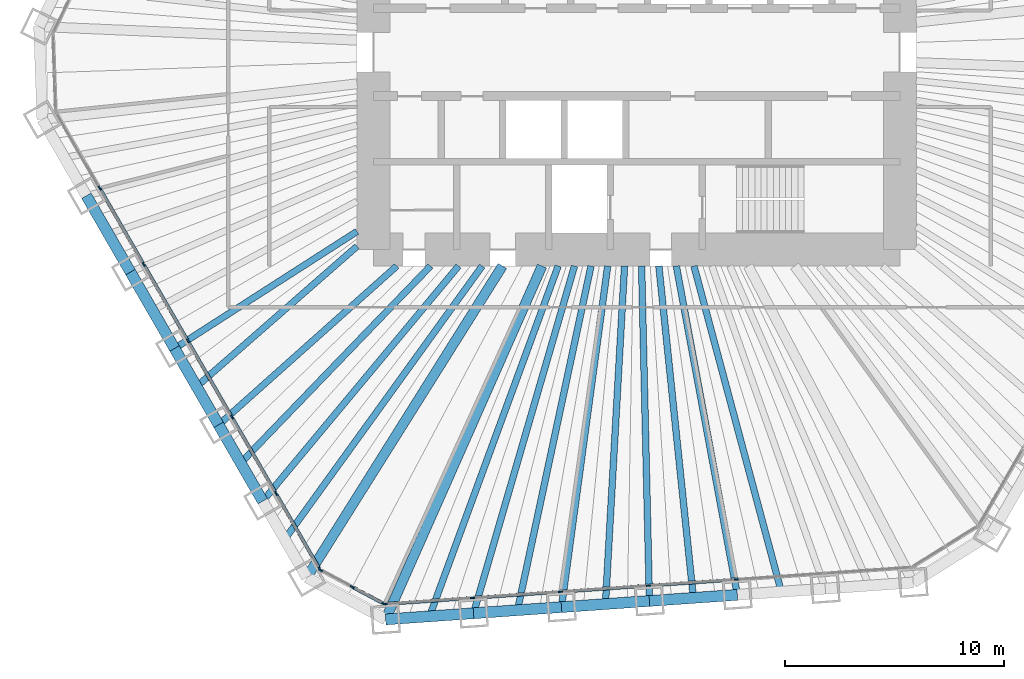
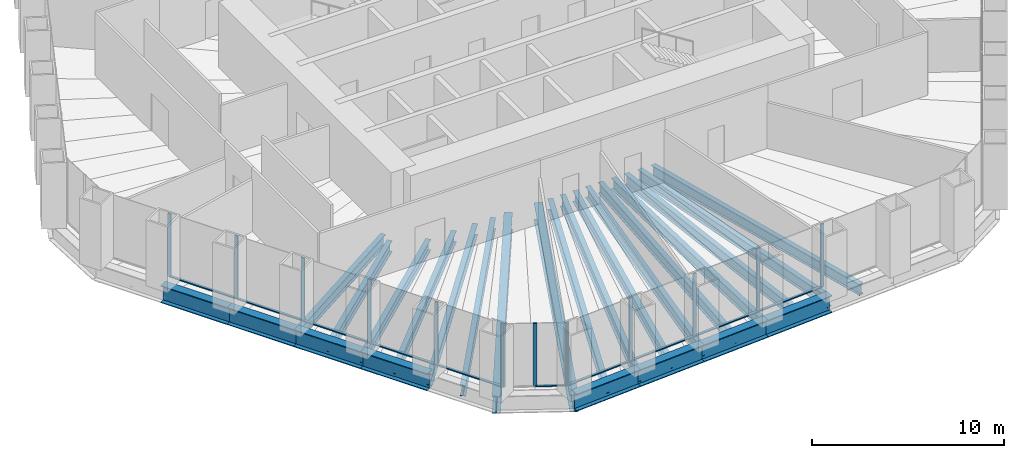
# One storey, part 2 of 13: 25 beams, 24 members, 3 elements without a shape of their own.
"""IFC4 building model written with IfcOpenShell, lengths in metres."""

from ifc_helpers import new_model, si_unit, direction, frame, origin, origin_2d, place, context, subcontext, project, spatial, rectangle, i_section, extrude, material, material_profile, profile_set, type_object, element, aggregate, save


model = new_model("IFC4")

# Units and contexts
model_context = context("Model", 3, precision=1e-05, world=origin(), true_north=direction((0.0, 1.0)))
body_context = subcontext(model_context, "Body", "Model", "MODEL_VIEW")
ifc_project = project(units=[si_unit("LENGTHUNIT", "METRE"), si_unit("AREAUNIT", "SQUARE_METRE"), si_unit("VOLUMEUNIT", "CUBIC_METRE"), si_unit("PLANEANGLEUNIT", "RADIAN"), si_unit("MASSUNIT", "GRAM", prefix="KILO")], contexts=[model_context])

# Site, building, storey
site_placement = place(None, origin())
site = spatial("IfcSite", under=ifc_project, at=site_placement, CompositionType="ELEMENT")
building_placement = place(site_placement, origin())
building = spatial("IfcBuilding", under=site, at=building_placement, Name="Qingtian Harvest Tower", CompositionType="ELEMENT")
storey_placement = place(building_placement, frame((0.0, 0.0, 115.60009765625)))
storey = spatial("IfcBuildingStorey", under=building, at=storey_placement, Name="L23", CompositionType="ELEMENT", Elevation=115.60009765625)

# Beams
ifc_material_1 = material(Name="Steel SM570MC", Category="steel")
ifc_material_profile_1 = material_profile(ifc_material_1, i_section(OverallWidth=0.449951171875, OverallDepth=1.10009765625, WebThickness=0.02197265625, FlangeThickness=0.044921875, at=origin_2d()), Name="H1100x450x22x45")
ifc_profile_set_1 = profile_set([ifc_material_profile_1], Name="Steel SM570MC")
beam_type_1 = type_object("IfcBeamType", Name="Corner floor beam FB8 H1100x450x22x45", PredefinedType="BEAM", material=ifc_profile_set_1)
beam_1_placement = place(storey_placement, frame((-11.445556640625, -25.861328125, -0.72021484375), z_axis=(0.404705702755, 0.914446988161, 0.0), x_axis=(-0.914446988161, 0.404705702755, 0.0)))
element("IfcBeam", 1, at=beam_1_placement, inside=storey, type_object=beam_type_1, Name="Floor beam FB8 S6", PredefinedType="BEAM", context=body_context, shape_type="SweptSolid", body=[
    extrude(i_section(OverallWidth=0.449951171875, OverallDepth=1.10009765625, WebThickness=0.02197265625, FlangeThickness=0.044921875, at=origin_2d()), origin(), (0.0, 0.0, 1.0), 17.61865234375),
])
beam_2_placement = place(storey_placement, frame((-15.039794921875, -23.950439453125, -0.72021484375), z_axis=(0.531797274443, 0.846871689747, 0.0), x_axis=(-0.846871689747, 0.531797274443, 0.0)))
element("IfcBeam", 2, at=beam_2_placement, inside=storey, type_object=beam_type_1, Name="Floor beam FB8 SW0", PredefinedType="BEAM", context=body_context, shape_type="SweptSolid", body=[
    extrude(i_section(OverallWidth=0.449951171875, OverallDepth=1.10009765625, WebThickness=0.02197265625, FlangeThickness=0.044921875, at=origin_2d()), origin(), (0.0, 0.0, 1.0), 16.76806640625),
])
ifc_material_2 = material(Name="Steel SN490B", Category="steel")
ifc_material_profile_2 = material_profile(ifc_material_2, i_section(OverallWidth=0.300048828125, OverallDepth=0.75, WebThickness=0.013916015625, FlangeThickness=0.02490234375, at=origin_2d()), Name="H750x300x14x25")
ifc_profile_set_2 = profile_set([ifc_material_profile_2], Name="Steel SN490B")
beam_type_2 = type_object("IfcBeamType", Name="Floor beam FB12 H750x300x14x25", PredefinedType="BEAM", material=ifc_profile_set_2)
beam_3_placement = place(storey_placement, frame((-7.436279296875, -25.5810546875, -0.545166015625), z_axis=(0.279142362954, 0.960249728562, 0.0), x_axis=(-0.960249728562, 0.279142362954, 0.0)))
element("IfcBeam", 3, at=beam_3_placement, inside=storey, type_object=beam_type_2, Name="Floor beam FB12 S5", PredefinedType="BEAM", context=body_context, shape_type="SweptSolid", body=[
    extrude(i_section(OverallWidth=0.300048828125, OverallDepth=0.75, WebThickness=0.013916015625, FlangeThickness=0.02490234375, at=origin_2d()), origin(), (0.0, 0.0, 1.0), 16.486328125),
])
ifc_material_3 = material(Name="Steel SN490B", Category="steel")
ifc_material_profile_3 = material_profile(ifc_material_3, i_section(OverallWidth=0.300048828125, OverallDepth=0.699951171875, WebThickness=0.012939453125, FlangeThickness=0.02392578125, at=origin_2d()), Name="H700x300x13x24")
ifc_profile_set_3 = profile_set([ifc_material_profile_3], Name="Steel SN490B")
beam_type_3 = type_object("IfcBeamType", Name="Floor beam FB2 H700x300x13x24", PredefinedType="BEAM", material=ifc_profile_set_3)
beam_4_placement = place(storey_placement, frame((4.591552734375, -24.739990234375, -0.52001953125), z_axis=(-0.182473442032, 0.983210782565, 0.0), x_axis=(-0.983210782565, -0.182473442032, 0.0)))
element("IfcBeam", 4, at=beam_4_placement, inside=storey, type_object=beam_type_3, Name="Floor beam FB2 S2", PredefinedType="BEAM", context=body_context, shape_type="SweptSolid", body=[
    extrude(i_section(OverallWidth=0.300048828125, OverallDepth=0.699951171875, WebThickness=0.012939453125, FlangeThickness=0.02392578125, at=origin_2d()), origin(), (0.0, 0.0, 1.0), 15.245849609375),
])
beam_5_placement = place(storey_placement, frame((0.582275390625, -25.020263671875, -0.52001953125), z_axis=(-0.023272189962, 0.999729165912, 0.0), x_axis=(-0.999729165912, -0.023272189962, 0.0)))
element("IfcBeam", 5, at=beam_5_placement, inside=storey, type_object=beam_type_3, Name="Floor beam FB2 S3", PredefinedType="BEAM", context=body_context, shape_type="SweptSolid", body=[
    extrude(i_section(OverallWidth=0.300048828125, OverallDepth=0.699951171875, WebThickness=0.012939453125, FlangeThickness=0.02392578125, at=origin_2d()), origin(), (0.0, 0.0, 1.0), 15.2744140625),
])
beam_6_placement = place(storey_placement, frame((-3.427001953125, -25.30078125, -0.52001953125), z_axis=(0.134230066005, 0.990950195207, 0.0), x_axis=(-0.990950195207, 0.134230066005, 0.0)))
element("IfcBeam", 6, at=beam_6_placement, inside=storey, type_object=beam_type_3, Name="Floor beam FB2 S4", PredefinedType="BEAM", context=body_context, shape_type="SweptSolid", body=[
    extrude(i_section(OverallWidth=0.300048828125, OverallDepth=0.699951171875, WebThickness=0.012939453125, FlangeThickness=0.02392578125, at=origin_2d()), origin(), (0.0, 0.0, 1.0), 15.69287109375),
])
beam_7_placement = place(storey_placement, frame((-17.04931640625, -20.4697265625, -0.52001953125), z_axis=(0.639988150605, 0.768384778015, 0.0), x_axis=(-0.768384778015, 0.639988150605, 0.0)))
element("IfcBeam", 7, at=beam_7_placement, inside=storey, type_object=beam_type_3, Name="Floor beam FB2 SW1", PredefinedType="BEAM", context=body_context, shape_type="SweptSolid", body=[
    extrude(i_section(OverallWidth=0.300048828125, OverallDepth=0.699951171875, WebThickness=0.012939453125, FlangeThickness=0.02392578125, at=origin_2d()), origin(), (0.0, 0.0, 1.0), 13.950927734375),
])
beam_8_placement = place(storey_placement, frame((-19.058837890625, -16.989013671875, -0.52001953125), z_axis=(0.746483707908, 0.665403692376, 0.0), x_axis=(-0.665403692376, 0.746483707908, 0.0)))
element("IfcBeam", 8, at=beam_8_placement, inside=storey, type_object=beam_type_3, Name="Floor beam FB2 SW2", PredefinedType="BEAM", context=body_context, shape_type="SweptSolid", body=[
    extrude(i_section(OverallWidth=0.300048828125, OverallDepth=0.699951171875, WebThickness=0.012939453125, FlangeThickness=0.02392578125, at=origin_2d()), origin(), (0.0, 0.0, 1.0), 10.879150390625),
])
beam_9_placement = place(storey_placement, frame((-21.068359375, -13.508544921875, -0.52001953125), z_axis=(0.841823295753, 0.539753220211, 0.0), x_axis=(-0.539753220211, 0.841823295753, 0.0)))
element("IfcBeam", 9, at=beam_9_placement, inside=storey, type_object=beam_type_3, Name="Floor beam FB2 SW3", PredefinedType="BEAM", context=body_context, shape_type="SweptSolid", body=[
    extrude(i_section(OverallWidth=0.300048828125, OverallDepth=0.699951171875, WebThickness=0.012939453125, FlangeThickness=0.02392578125, at=origin_2d()), origin(), (0.0, 0.0, 1.0), 9.88134765625),
])
ifc_material_4 = material(Name="Steel SN490B", Category="steel")
ifc_material_profile_4 = material_profile(ifc_material_4, i_section(OverallWidth=0.300048828125, OverallDepth=0.699951171875, WebThickness=0.012939453125, FlangeThickness=0.02392578125, at=origin_2d()), Name="H700x300x13x24")
ifc_profile_set_4 = profile_set([ifc_material_profile_4], Name="Steel SN490B")
beam_type_4 = type_object("IfcBeamType", Name="Floor joist J2 H700x300x13x24", PredefinedType="JOIST", material=ifc_profile_set_4)
beam_10_placement = place(storey_placement, frame((6.59619140625, -24.599853515625, -0.52001953125), z_axis=(-0.258996688759, 0.965878209306, 0.0), x_axis=(-0.965878209306, -0.258996688759, 0.0)))
element("IfcBeam", 10, at=beam_10_placement, inside=storey, type_object=beam_type_4, Name="Floor joist J2 S1", PredefinedType="JOIST", context=body_context, shape_type="SweptSolid", body=[
    extrude(i_section(OverallWidth=0.300048828125, OverallDepth=0.699951171875, WebThickness=0.012939453125, FlangeThickness=0.02392578125, at=origin_2d()), origin(), (0.0, 0.0, 1.0), 15.37451171875),
])
beam_11_placement = place(storey_placement, frame((2.5869140625, -24.880126953125, -0.52001953125), z_axis=(-0.103423163361, 0.994637446148, 0.0), x_axis=(-0.994637446148, -0.103423163361, 0.0)))
element("IfcBeam", 11, at=beam_11_placement, inside=storey, type_object=beam_type_4, Name="Floor joist J2 S2", PredefinedType="JOIST", context=body_context, shape_type="SweptSolid", body=[
    extrude(i_section(OverallWidth=0.300048828125, OverallDepth=0.699951171875, WebThickness=0.012939453125, FlangeThickness=0.02392578125, at=origin_2d()), origin(), (0.0, 0.0, 1.0), 15.211669921875),
])
beam_12_placement = place(storey_placement, frame((-1.42236328125, -25.160400390625, -0.52001953125), z_axis=(0.05643626267, 0.998406204035, 0.0), x_axis=(-0.998406204035, 0.05643626267, 0.0)))
element("IfcBeam", 12, at=beam_12_placement, inside=storey, type_object=beam_type_4, Name="Floor joist J2 S3", PredefinedType="JOIST", context=body_context, shape_type="SweptSolid", body=[
    extrude(i_section(OverallWidth=0.300048828125, OverallDepth=0.699951171875, WebThickness=0.012939453125, FlangeThickness=0.02392578125, at=origin_2d()), origin(), (0.0, 0.0, 1.0), 15.43505859375),
])
beam_13_placement = place(storey_placement, frame((-5.431640625, -25.44091796875, -0.52001953125), z_axis=(0.208799533611, 0.977958462699, 0.0), x_axis=(-0.977958462699, 0.208799533611, 0.0)))
element("IfcBeam", 13, at=beam_13_placement, inside=storey, type_object=beam_type_4, Name="Floor joist J2 S4", PredefinedType="JOIST", context=body_context, shape_type="SweptSolid", body=[
    extrude(i_section(OverallWidth=0.300048828125, OverallDepth=0.699951171875, WebThickness=0.012939453125, FlangeThickness=0.02392578125, at=origin_2d()), origin(), (0.0, 0.0, 1.0), 16.044677734375),
])
beam_14_placement = place(storey_placement, frame((-9.44091796875, -25.72119140625, -0.52001953125), z_axis=(0.344563279886, 0.938763093732, 0.0), x_axis=(-0.938763093732, 0.344563279886, 0.0)))
element("IfcBeam", 14, at=beam_14_placement, inside=storey, type_object=beam_type_4, Name="Floor joist J2 S5", PredefinedType="JOIST", context=body_context, shape_type="SweptSolid", body=[
    extrude(i_section(OverallWidth=0.300048828125, OverallDepth=0.699951171875, WebThickness=0.012939453125, FlangeThickness=0.02392578125, at=origin_2d()), origin(), (0.0, 0.0, 1.0), 17.012939453125),
])
beam_15_placement = place(storey_placement, frame((-16.04443359375, -22.2099609375, -0.52001953125), z_axis=(0.585581016658, 0.810613886465, 0.0), x_axis=(-0.810613886465, 0.585581016658, 0.0)))
element("IfcBeam", 15, at=beam_15_placement, inside=storey, type_object=beam_type_4, Name="Floor joist J2 SW0", PredefinedType="JOIST", context=body_context, shape_type="SweptSolid", body=[
    extrude(i_section(OverallWidth=0.300048828125, OverallDepth=0.699951171875, WebThickness=0.012939453125, FlangeThickness=0.02392578125, at=origin_2d()), origin(), (0.0, 0.0, 1.0), 15.37109375),
])
beam_16_placement = place(storey_placement, frame((-18.053955078125, -18.7294921875, -0.52001953125), z_axis=(0.693999346894, 0.719975629108, 0.0), x_axis=(-0.719975629108, 0.693999346894, 0.0)))
element("IfcBeam", 16, at=beam_16_placement, inside=storey, type_object=beam_type_4, Name="Floor joist J2 SW1", PredefinedType="JOIST", context=body_context, shape_type="SweptSolid", body=[
    extrude(i_section(OverallWidth=0.300048828125, OverallDepth=0.699951171875, WebThickness=0.012939453125, FlangeThickness=0.02392578125, at=origin_2d()), origin(), (0.0, 0.0, 1.0), 12.471923828125),
])
beam_17_placement = place(storey_placement, frame((-20.063720703125, -15.248779296875, -0.52001953125), z_axis=(0.752618713562, 0.658456583228, 0.0), x_axis=(-0.658456583228, 0.752618713562, 0.0)))
element("IfcBeam", 17, at=beam_17_placement, inside=storey, type_object=beam_type_4, Name="Floor joist J2 SW2", PredefinedType="JOIST", context=body_context, shape_type="SweptSolid", body=[
    extrude(i_section(OverallWidth=0.300048828125, OverallDepth=0.699951171875, WebThickness=0.012939453125, FlangeThickness=0.02392578125, at=origin_2d()), origin(), (0.0, 0.0, 1.0), 9.7177734375),
])

# Curtain wall, members
ifc_material_5 = material(Name="Bronze-anodised aluminium curtain wall", Category="aluminium")
curtain_wall_type = type_object("IfcCurtainWallType", Name="Curtain wall CW4 office", PredefinedType="USERDEFINED", material=ifc_material_5)
curtain_wall_1_placement = place(storey_placement, origin())
curtain_wall_1 = element("IfcCurtainWall", 18, at=curtain_wall_1_placement, inside=storey, type_object=curtain_wall_type, Name="Curtain wall CW4 L23 S0-5", ObjectType="RECESSED CURTAIN WALL", PredefinedType="USERDEFINED")
ifc_material_6 = material(Name="Bronze-anodised aluminium mullion", Category="aluminium")
ifc_material_profile_5 = material_profile(ifc_material_6, rectangle(XDim=0.06494140625, YDim=0.199951171875, at=origin_2d()), Name="AL 65x200")
ifc_profile_set_5 = profile_set([ifc_material_profile_5], Name="Bronze-anodised aluminium mullion")
member_type_1 = type_object("IfcMemberType", Name="Mullion CWM 65x200", PredefinedType="MULLION", material=ifc_profile_set_5)
member_1_placement = place(storey_placement, frame((4.542724609375, -24.041748046875, 0.0), z_axis=(0.0, 0.0, 1.0), x_axis=(0.069756473744, -0.99756405026, 0.0)))
member_1 = element("IfcMember", 19, at=member_1_placement, type_object=member_type_1, Name="CW4 mullion 3", PredefinedType="MULLION", context=body_context, shape_type="SweptSolid", body=[
    extrude(rectangle(XDim=0.06494140625, YDim=0.199951171875, at=origin_2d()), origin(), (0.0, 0.0, 1.0), 4.02978515625),
])
member_2_placement = place(storey_placement, frame((0.533447265625, -24.322021484375, 0.0), z_axis=(0.0, 0.0, 1.0), x_axis=(0.069756473744, -0.99756405026, 0.0)))
member_2 = element("IfcMember", 20, at=member_2_placement, type_object=member_type_1, Name="CW4 mullion 4", PredefinedType="MULLION", context=body_context, shape_type="SweptSolid", body=[
    extrude(rectangle(XDim=0.06494140625, YDim=0.199951171875, at=origin_2d()), origin(), (0.0, 0.0, 1.0), 4.02978515625),
])
member_3_placement = place(storey_placement, frame((-3.475830078125, -24.602294921875, 0.0), z_axis=(0.0, 0.0, 1.0), x_axis=(0.069756473744, -0.99756405026, 0.0)))
member_3 = element("IfcMember", 21, at=member_3_placement, type_object=member_type_1, Name="CW4 mullion 5", PredefinedType="MULLION", context=body_context, shape_type="SweptSolid", body=[
    extrude(rectangle(XDim=0.06494140625, YDim=0.199951171875, at=origin_2d()), origin(), (0.0, 0.0, 1.0), 4.02978515625),
])
member_4_placement = place(storey_placement, frame((-7.485107421875, -24.8828125, 0.0), z_axis=(0.0, 0.0, 1.0), x_axis=(0.069756473744, -0.99756405026, 0.0)))
member_4 = element("IfcMember", 22, at=member_4_placement, type_object=member_type_1, Name="CW4 mullion 6", PredefinedType="MULLION", context=body_context, shape_type="SweptSolid", body=[
    extrude(rectangle(XDim=0.06494140625, YDim=0.199951171875, at=origin_2d()), origin(), (0.0, 0.0, 1.0), 4.02978515625),
])
member_5_placement = place(storey_placement, frame((-11.4619140625, -25.160888671875, 0.0), z_axis=(0.0, 0.0, 1.0), x_axis=(0.069756473744, -0.99756405026, 0.0)))
member_5 = element("IfcMember", 23, at=member_5_placement, type_object=member_type_1, Name="CW4 mullion 7", PredefinedType="MULLION", context=body_context, shape_type="SweptSolid", body=[
    extrude(rectangle(XDim=0.06494140625, YDim=0.199951171875, at=origin_2d()), origin(), (0.0, 0.0, 1.0), 4.02978515625),
])

curtain_wall_2_placement = place(storey_placement, origin())
curtain_wall_2 = element("IfcCurtainWall", 24, at=curtain_wall_2_placement, inside=storey, type_object=curtain_wall_type, Name="Curtain wall CW4 L23 SC", ObjectType="RECESSED CURTAIN WALL", PredefinedType="USERDEFINED")
member_6_placement = place(storey_placement, frame((-11.523193359375, -25.14794921875, 0.0), z_axis=(0.0, 0.0, 1.0), x_axis=(-0.469471562786, -0.882947592859, 0.0)))
member_6 = element("IfcMember", 25, at=member_6_placement, type_object=member_type_1, Name="CW4 mullion 1", PredefinedType="MULLION", context=body_context, shape_type="SweptSolid", body=[
    extrude(rectangle(XDim=0.06494140625, YDim=0.199951171875, at=origin_2d()), origin(), (0.0, 0.0, 1.0), 4.02978515625),
])
member_7_placement = place(storey_placement, frame((-12.964111328125, -24.3818359375, 0.0), z_axis=(0.0, 0.0, 1.0), x_axis=(-0.469471562786, -0.882947592859, 0.0)))
member_7 = element("IfcMember", 26, at=member_7_placement, type_object=member_type_1, Name="CW4 mullion 2", PredefinedType="MULLION", context=body_context, shape_type="SweptSolid", body=[
    extrude(rectangle(XDim=0.06494140625, YDim=0.199951171875, at=origin_2d()), origin(), (0.0, 0.0, 1.0), 4.02978515625),
])
member_8_placement = place(storey_placement, frame((-14.40478515625, -23.61572265625, 0.0), z_axis=(0.0, 0.0, 1.0), x_axis=(-0.469471562786, -0.882947592859, 0.0)))
member_8 = element("IfcMember", 27, at=member_8_placement, type_object=member_type_1, Name="CW4 mullion 3", PredefinedType="MULLION", context=body_context, shape_type="SweptSolid", body=[
    extrude(rectangle(XDim=0.06494140625, YDim=0.199951171875, at=origin_2d()), origin(), (0.0, 0.0, 1.0), 4.02978515625),
])

curtain_wall_3_placement = place(storey_placement, origin())
curtain_wall_3 = element("IfcCurtainWall", 28, at=curtain_wall_3_placement, inside=storey, type_object=curtain_wall_type, Name="Curtain wall CW4 L23 SW0-5", ObjectType="RECESSED CURTAIN WALL", PredefinedType="USERDEFINED")
member_9_placement = place(storey_placement, frame((-14.44970703125, -23.572265625, 0.0), z_axis=(0.0, 0.0, 1.0), x_axis=(-0.866025403784, -0.5, 0.0)))
member_9 = element("IfcMember", 29, at=member_9_placement, type_object=member_type_1, Name="CW4 mullion 1", PredefinedType="MULLION", context=body_context, shape_type="SweptSolid", body=[
    extrude(rectangle(XDim=0.06494140625, YDim=0.199951171875, at=origin_2d()), origin(), (0.0, 0.0, 1.0), 4.02978515625),
])
member_10_placement = place(storey_placement, frame((-16.443115234375, -20.11962890625, 0.0), z_axis=(0.0, 0.0, 1.0), x_axis=(-0.866025403784, -0.5, 0.0)))
member_10 = element("IfcMember", 30, at=member_10_placement, type_object=member_type_1, Name="CW4 mullion 2", PredefinedType="MULLION", context=body_context, shape_type="SweptSolid", body=[
    extrude(rectangle(XDim=0.06494140625, YDim=0.199951171875, at=origin_2d()), origin(), (0.0, 0.0, 1.0), 4.02978515625),
])
member_11_placement = place(storey_placement, frame((-18.45263671875, -16.63916015625, 0.0), z_axis=(0.0, 0.0, 1.0), x_axis=(-0.866025403784, -0.5, 0.0)))
member_11 = element("IfcMember", 31, at=member_11_placement, type_object=member_type_1, Name="CW4 mullion 3", PredefinedType="MULLION", context=body_context, shape_type="SweptSolid", body=[
    extrude(rectangle(XDim=0.06494140625, YDim=0.199951171875, at=origin_2d()), origin(), (0.0, 0.0, 1.0), 4.02978515625),
])
member_12_placement = place(storey_placement, frame((-20.462158203125, -13.158447265625, 0.0), z_axis=(0.0, 0.0, 1.0), x_axis=(-0.866025403784, -0.5, 0.0)))
member_12 = element("IfcMember", 32, at=member_12_placement, type_object=member_type_1, Name="CW4 mullion 4", PredefinedType="MULLION", context=body_context, shape_type="SweptSolid", body=[
    extrude(rectangle(XDim=0.06494140625, YDim=0.199951171875, at=origin_2d()), origin(), (0.0, 0.0, 1.0), 4.02978515625),
])
member_13_placement = place(storey_placement, frame((-22.4716796875, -9.677978515625, 0.0), z_axis=(0.0, 0.0, 1.0), x_axis=(-0.866025403784, -0.5, 0.0)))
member_13 = element("IfcMember", 33, at=member_13_placement, type_object=member_type_1, Name="CW4 mullion 5", PredefinedType="MULLION", context=body_context, shape_type="SweptSolid", body=[
    extrude(rectangle(XDim=0.06494140625, YDim=0.199951171875, at=origin_2d()), origin(), (0.0, 0.0, 1.0), 4.02978515625),
])
member_14_placement = place(storey_placement, frame((-24.481201171875, -6.197265625, 0.0), z_axis=(0.0, 0.0, 1.0), x_axis=(-0.866025403784, -0.5, 0.0)))
member_14 = element("IfcMember", 34, at=member_14_placement, type_object=member_type_1, Name="CW4 mullion 6", PredefinedType="MULLION", context=body_context, shape_type="SweptSolid", body=[
    extrude(rectangle(XDim=0.06494140625, YDim=0.199951171875, at=origin_2d()), origin(), (0.0, 0.0, 1.0), 4.02978515625),
])

# Beams
ifc_material_7 = material(Name="Steel SM570MC", Category="steel")
ifc_material_profile_6 = material_profile(ifc_material_7, i_section(OverallWidth=0.5, OverallDepth=1.10009765625, WebThickness=0.02490234375, FlangeThickness=0.050048828125, at=origin_2d()), Name="H1100x500x25x50")
ifc_profile_set_6 = profile_set([ifc_material_profile_6], Name="Steel SM570MC")
beam_type_5 = type_object("IfcBeamType", Name="Spandrel beam SB2 H1100x500x25x50", PredefinedType="SPANDREL", material=ifc_profile_set_6)
for number, where, z_axis, x_axis, name in (
    (35, (4.591552734375, -24.739990234375, -0.550048828125), (-0.997565479251, -0.069736035208, 0.0), (0.069736035208, -0.997565479251, 0.0), "Spandrel SB2 S2"),
    (36, (0.582275390625, -25.020263671875, -0.550048828125), (-0.997561251588, -0.069796485086, 0.0), (0.069796485086, -0.997561251588, 0.0), "Spandrel SB2 S3"),
    (37, (-3.427001953125, -25.30078125, -0.550048828125), (-0.997565479251, -0.069736035208, 0.0), (0.069736035208, -0.997565479251, 0.0), "Spandrel SB2 S4"),
    (38, (-7.436279296875, -25.5810546875, -0.550048828125), (-0.997565479251, -0.069736035208, 0.0), (0.069736035208, -0.997565479251, 0.0), "Spandrel SB2 S5"),
    (39, (-17.04931640625, -20.4697265625, -0.550048828125), (-0.499987116613, 0.866032841884, 0.0), (-0.866032841884, -0.499987116613, 0.0), "Spandrel SB2 SW1"),
    (40, (-19.058837890625, -16.989013671875, -0.550048828125), (-0.500013420409, 0.866017655369, 0.0), (-0.866017655369, -0.500013420409, 0.0), "Spandrel SB2 SW2"),
    (41, (-21.068359375, -13.508544921875, -0.550048828125), (-0.499987116613, 0.866032841884, 0.0), (-0.866032841884, -0.499987116613, 0.0), "Spandrel SB2 SW3"),
    (42, (-23.077880859375, -10.02783203125, -0.550048828125), (-0.499987116613, 0.866032841884, 0.0), (-0.866032841884, -0.499987116613, 0.0), "Spandrel SB2 SW4"),
):
    element("IfcBeam", number, at=place(storey_placement, frame(where, z_axis=z_axis, x_axis=x_axis)), inside=storey, type_object=beam_type_5, Name=name, PredefinedType="SPANDREL", context=body_context, shape_type="SweptSolid", body=[
        extrude(i_section(OverallWidth=0.5, OverallDepth=1.10009765625, WebThickness=0.02490234375, FlangeThickness=0.050048828125, at=origin_2d()), origin(), (0.0, 0.0, 1.0), 4.01904296875),
    ])

# Member
ifc_material_8 = material(Name="Bronze-anodised aluminium transom", Category="aluminium")
ifc_material_profile_7 = material_profile(ifc_material_8, rectangle(XDim=0.14990234375, YDim=0.06494140625, at=origin_2d()), Name="AL 65x150")
ifc_profile_set_7 = profile_set([ifc_material_profile_7], Name="Bronze-anodised aluminium transom")
member_type_2 = type_object("IfcMemberType", Name="Transom CWT 65x150", PredefinedType="USERDEFINED", material=ifc_profile_set_7)
member_15_placement = place(storey_placement, frame((4.51025390625, -24.0439453125, 0.032470703125), z_axis=(-0.997562922571, -0.069772598571, 0.0), x_axis=(0.069772598571, -0.997562922571, 0.0)))
member_15 = element("IfcMember", 43, at=member_15_placement, type_object=member_type_2, Name="CW4 transom 3.1", ObjectType="TRANSOM", PredefinedType="USERDEFINED", context=body_context, shape_type="SweptSolid", body=[
    extrude(rectangle(XDim=0.14990234375, YDim=0.06494140625, at=origin_2d()), origin(), (0.0, 0.0, 1.0), 3.953857421875),
])

member_16_placement = place(storey_placement, frame((0.5009765625, -24.32421875, 0.032470703125), z_axis=(-0.997562922571, -0.069772598571, 0.0), x_axis=(0.069772598571, -0.997562922571, 0.0)))
member_16 = element("IfcMember", 44, at=member_16_placement, type_object=member_type_2, Name="CW4 transom 4.1", ObjectType="TRANSOM", PredefinedType="USERDEFINED", context=body_context, shape_type="SweptSolid", body=[
    extrude(rectangle(XDim=0.14990234375, YDim=0.06494140625, at=origin_2d()), origin(), (0.0, 0.0, 1.0), 3.953857421875),
])

member_17_placement = place(storey_placement, frame((-3.50830078125, -24.604736328125, 0.032470703125), z_axis=(-0.997567218353, -0.069711153102, 0.0), x_axis=(0.069711153102, -0.997567218353, 0.0)))
member_17 = element("IfcMember", 45, at=member_17_placement, type_object=member_type_2, Name="CW4 transom 5.1", ObjectType="TRANSOM", PredefinedType="USERDEFINED", context=body_context, shape_type="SweptSolid", body=[
    extrude(rectangle(XDim=0.14990234375, YDim=0.06494140625, at=origin_2d()), origin(), (0.0, 0.0, 1.0), 3.953857421875),
])

member_18_placement = place(storey_placement, frame((-7.517578125, -24.885009765625, 0.032470703125), z_axis=(-0.997561915105, -0.069787001175, 0.0), x_axis=(0.069787001175, -0.997561915105, 0.0)))
member_18 = element("IfcMember", 46, at=member_18_placement, type_object=member_type_2, Name="CW4 transom 6.1", ObjectType="TRANSOM", PredefinedType="USERDEFINED", context=body_context, shape_type="SweptSolid", body=[
    extrude(rectangle(XDim=0.14990234375, YDim=0.06494140625, at=origin_2d()), origin(), (0.0, 0.0, 1.0), 3.921630859375),
])

aggregate(curtain_wall_1, [member_1, member_2, member_3, member_4, member_5, member_15, member_16, member_17, member_18])

member_19_placement = place(storey_placement, frame((-11.5517578125, -25.132568359375, 0.032470703125), z_axis=(-0.882960338349, 0.46944759122, 0.0), x_axis=(-0.46944759122, -0.882960338349, 0.0)))
member_19 = element("IfcMember", 47, at=member_19_placement, type_object=member_type_2, Name="CW4 transom 1.1", ObjectType="TRANSOM", PredefinedType="USERDEFINED", context=body_context, shape_type="SweptSolid", body=[
    extrude(rectangle(XDim=0.14990234375, YDim=0.06494140625, at=origin_2d()), origin(), (0.0, 0.0, 1.0), 1.56689453125),
])

aggregate(curtain_wall_2, [member_6, member_7, member_8, member_19])

member_20_placement = place(storey_placement, frame((-14.466064453125, -23.5439453125, 0.032470703125), z_axis=(-0.500002696854, 0.866023846749, 0.0), x_axis=(-0.866023846749, -0.500002696854, 0.0)))
member_20 = element("IfcMember", 48, at=member_20_placement, type_object=member_type_2, Name="CW4 transom 1.1", ObjectType="TRANSOM", PredefinedType="USERDEFINED", context=body_context, shape_type="SweptSolid", body=[
    extrude(rectangle(XDim=0.14990234375, YDim=0.06494140625, at=origin_2d()), origin(), (0.0, 0.0, 1.0), 3.92138671875),
])

member_21_placement = place(storey_placement, frame((-16.459228515625, -20.091552734375, 0.032470703125), z_axis=(-0.500003941941, 0.866023127892, 0.0), x_axis=(-0.866023127892, -0.500003941941, 0.0)))
member_21 = element("IfcMember", 49, at=member_21_placement, type_object=member_type_2, Name="CW4 transom 2.1", ObjectType="TRANSOM", PredefinedType="USERDEFINED", context=body_context, shape_type="SweptSolid", body=[
    extrude(rectangle(XDim=0.14990234375, YDim=0.06494140625, at=origin_2d()), origin(), (0.0, 0.0, 1.0), 3.9541015625),
])

member_22_placement = place(storey_placement, frame((-18.468994140625, -16.611083984375, 0.032470703125), z_axis=(-0.49993089783, 0.866065296265, 0.0), x_axis=(-0.866065296265, -0.49993089783, 0.0)))
member_22 = element("IfcMember", 50, at=member_22_placement, type_object=member_type_2, Name="CW4 transom 3.1", ObjectType="TRANSOM", PredefinedType="USERDEFINED", context=body_context, shape_type="SweptSolid", body=[
    extrude(rectangle(XDim=0.14990234375, YDim=0.06494140625, at=origin_2d()), origin(), (0.0, 0.0, 1.0), 3.9541015625),
])

member_23_placement = place(storey_placement, frame((-20.478515625, -13.13037109375, 0.032470703125), z_axis=(-0.500003941941, 0.866023127892, 0.0), x_axis=(-0.866023127892, -0.500003941941, 0.0)))
member_23 = element("IfcMember", 51, at=member_23_placement, type_object=member_type_2, Name="CW4 transom 4.1", ObjectType="TRANSOM", PredefinedType="USERDEFINED", context=body_context, shape_type="SweptSolid", body=[
    extrude(rectangle(XDim=0.14990234375, YDim=0.06494140625, at=origin_2d()), origin(), (0.0, 0.0, 1.0), 3.9541015625),
])

member_24_placement = place(storey_placement, frame((-22.488037109375, -9.649658203125, 0.032470703125), z_axis=(-0.500003941941, 0.866023127892, 0.0), x_axis=(-0.866023127892, -0.500003941941, 0.0)))
member_24 = element("IfcMember", 52, at=member_24_placement, type_object=member_type_2, Name="CW4 transom 5.1", ObjectType="TRANSOM", PredefinedType="USERDEFINED", context=body_context, shape_type="SweptSolid", body=[
    extrude(rectangle(XDim=0.14990234375, YDim=0.06494140625, at=origin_2d()), origin(), (0.0, 0.0, 1.0), 3.9541015625),
])

aggregate(curtain_wall_3, [member_9, member_10, member_11, member_12, member_13, member_14, member_20, member_21, member_22, member_23, member_24])

save(model, "model.ifc")
